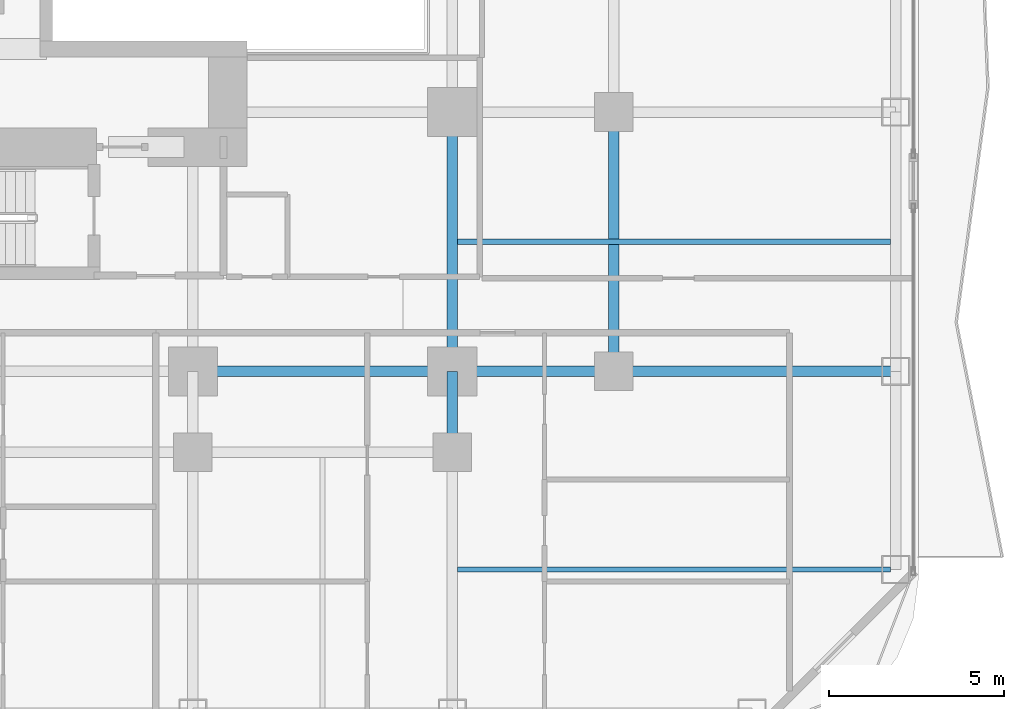
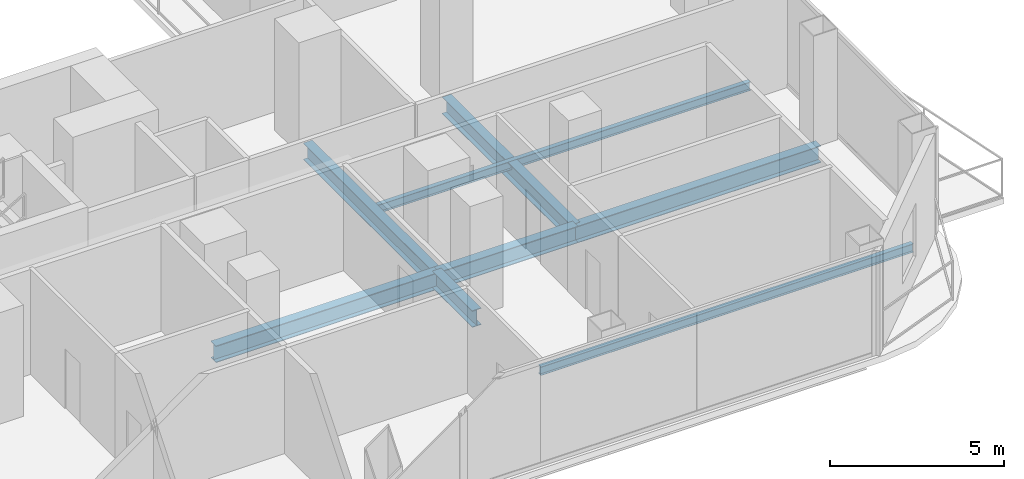
# One storey, part 9 of 27: 8 beams.
"""IFC4 building model written with IfcOpenShell, lengths in metres."""

from ifc_helpers import new_model, si_unit, direction, frame, origin, origin_2d, place, context, subcontext, project, spatial, i_section, extrude, material, material_profile, profile_set, type_object, element, save


model = new_model("IFC4")

# Units and contexts
model_context = context("Model", 3, precision=1e-05, world=origin(), true_north=direction((0.0, 1.0)))
body_context = subcontext(model_context, "Body", "Model", "MODEL_VIEW")
ifc_project = project(units=[si_unit("LENGTHUNIT", "METRE"), si_unit("AREAUNIT", "SQUARE_METRE"), si_unit("VOLUMEUNIT", "CUBIC_METRE"), si_unit("PLANEANGLEUNIT", "RADIAN"), si_unit("MASSUNIT", "GRAM", prefix="KILO")], contexts=[model_context])

# Site, building, storey
site_placement = place(None, origin())
site = spatial("IfcSite", under=ifc_project, at=site_placement, CompositionType="ELEMENT")
building_placement = place(site_placement, origin())
building = spatial("IfcBuilding", under=site, at=building_placement, Name="Khorvyn Point Tower", CompositionType="ELEMENT")
storey_placement = place(building_placement, frame((0.0, 0.0, 46.199951171875)))
storey = spatial("IfcBuildingStorey", under=building, at=storey_placement, Name="L12", CompositionType="ELEMENT", Elevation=46.199951171875)

# Beams
ifc_material = material(Name="Steel S355", Category="steel")
ifc_material_profile_1 = material_profile(ifc_material, i_section(OverallWidth=0.300048828125, OverallDepth=0.587890625, WebThickness=0.011962890625, FlangeThickness=0.02001953125, at=origin_2d()))
ifc_profile_set_1 = profile_set([ifc_material_profile_1], Name="Steel S355 H588x300x12x20")
beam_type_1 = type_object("IfcBeamType", Name="Steel S355 Beam H588x300x12x20", PredefinedType="BEAM", material=ifc_profile_set_1)
beam_1_placement = place(storey_placement, frame((7.39990234375, -14.800048828125, -0.513916015625), z_axis=(1.0, 0.0, 0.0), x_axis=(0.0, 1.0, 0.0)))
element("IfcBeam", 1, at=beam_1_placement, inside=storey, type_object=beam_type_1, Name="Beam", PredefinedType="BEAM", context=body_context, shape_type="SweptSolid", body=[
    extrude(i_section(OverallWidth=0.300048828125, OverallDepth=0.587890625, WebThickness=0.011962890625, FlangeThickness=0.02001953125, at=origin_2d()), origin(), (0.0, 0.0, 1.0), 7.400146484375),
])
beam_2_placement = place(storey_placement, frame((14.800048828125, -14.800048828125, -0.513916015625), z_axis=(1.0, 0.0, 0.0), x_axis=(0.0, 1.0, 0.0)))
element("IfcBeam", 2, at=beam_2_placement, inside=storey, type_object=beam_type_1, Name="Beam", PredefinedType="BEAM", context=body_context, shape_type="SweptSolid", body=[
    extrude(i_section(OverallWidth=0.300048828125, OverallDepth=0.587890625, WebThickness=0.011962890625, FlangeThickness=0.02001953125, at=origin_2d()), origin(), (0.0, 0.0, 1.0), 4.599853515625),
])
beam_3_placement = place(storey_placement, frame((19.39990234375, -14.800048828125, -0.513916015625), z_axis=(1.0, 0.0, 0.0), x_axis=(0.0, 1.0, 0.0)))
element("IfcBeam", 3, at=beam_3_placement, inside=storey, type_object=beam_type_1, Name="Beam", PredefinedType="BEAM", context=body_context, shape_type="SweptSolid", body=[
    extrude(i_section(OverallWidth=0.300048828125, OverallDepth=0.587890625, WebThickness=0.011962890625, FlangeThickness=0.02001953125, at=origin_2d()), origin(), (0.0, 0.0, 1.0), 8.050048828125),
])
beam_4_placement = place(storey_placement, frame((14.800048828125, -17.10009765625, -0.513916015625), z_axis=(0.0, 1.0, 0.0), x_axis=(-1.0, 0.0, 0.0)))
element("IfcBeam", 4, at=beam_4_placement, inside=storey, type_object=beam_type_1, Name="Beam", PredefinedType="BEAM", context=body_context, shape_type="SweptSolid", body=[
    extrude(i_section(OverallWidth=0.300048828125, OverallDepth=0.587890625, WebThickness=0.011962890625, FlangeThickness=0.02001953125, at=origin_2d()), origin(), (0.0, 0.0, 1.0), 2.300048828125),
])
for number, where, z_axis, x_axis, name in (
    (5, (14.800048828125, -14.800048828125, -0.513916015625), (0.0, 1.0, 0.0), (-1.0, 0.0, 0.0), "Beam"),
    (6, (19.39990234375, -14.800048828125, -0.513916015625), (0.0, 1.0, 0.0), (-1.0, 0.0, 0.0), "Beam"),
):
    element("IfcBeam", number, at=place(storey_placement, frame(where, z_axis=z_axis, x_axis=x_axis)), inside=storey, type_object=beam_type_1, Name=name, PredefinedType="BEAM", context=body_context, shape_type="SweptSolid", body=[
        extrude(i_section(OverallWidth=0.300048828125, OverallDepth=0.587890625, WebThickness=0.011962890625, FlangeThickness=0.02001953125, at=origin_2d()), origin(), (0.0, 0.0, 1.0), 7.400146484375),
    ])
ifc_material_profile_2 = material_profile(ifc_material, i_section(OverallWidth=0.14990234375, OverallDepth=0.300048828125, WebThickness=0.006591796875, FlangeThickness=0.009033203125, at=origin_2d()))
ifc_profile_set_2 = profile_set([ifc_material_profile_2], Name="Steel S355 H300x150x6.5x9")
beam_type_2 = type_object("IfcBeamType", Name="Steel S355 Joist H300x150x6.5x9", PredefinedType="JOIST", material=ifc_profile_set_2)
for number, where, z_axis, x_axis, name in (
    (7, (14.949951171875, -11.10009765625, -0.369873046875), (1.0, 0.0, 0.0), (0.0, 1.0, 0.0), "Beam"),
    (8, (14.949951171875, -20.449951171875, -0.369873046875), (1.0, 0.0, 0.0), (0.0, 1.0, 0.0), "Beam"),
):
    element("IfcBeam", number, at=place(storey_placement, frame(where, z_axis=z_axis, x_axis=x_axis)), inside=storey, type_object=beam_type_2, Name=name, PredefinedType="JOIST", context=body_context, shape_type="SweptSolid", body=[
        extrude(i_section(OverallWidth=0.14990234375, OverallDepth=0.300048828125, WebThickness=0.006591796875, FlangeThickness=0.009033203125, at=origin_2d()), origin(), (0.0, 0.0, 1.0), 12.35009765625),
    ])

save(model, "model.ifc")
